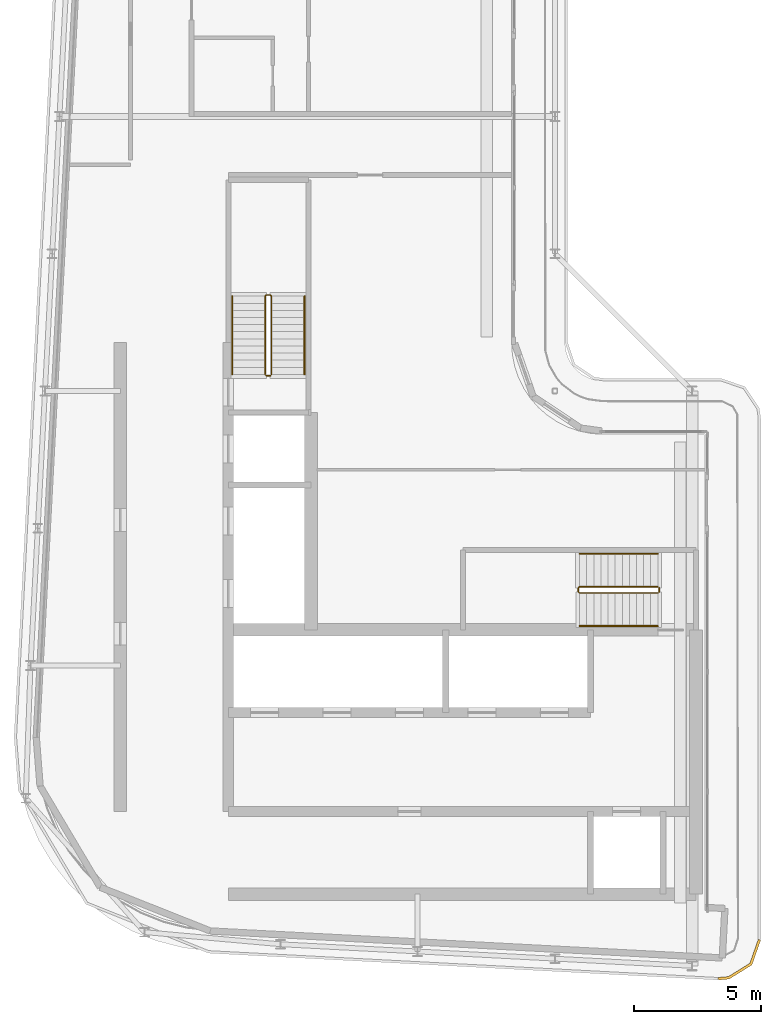
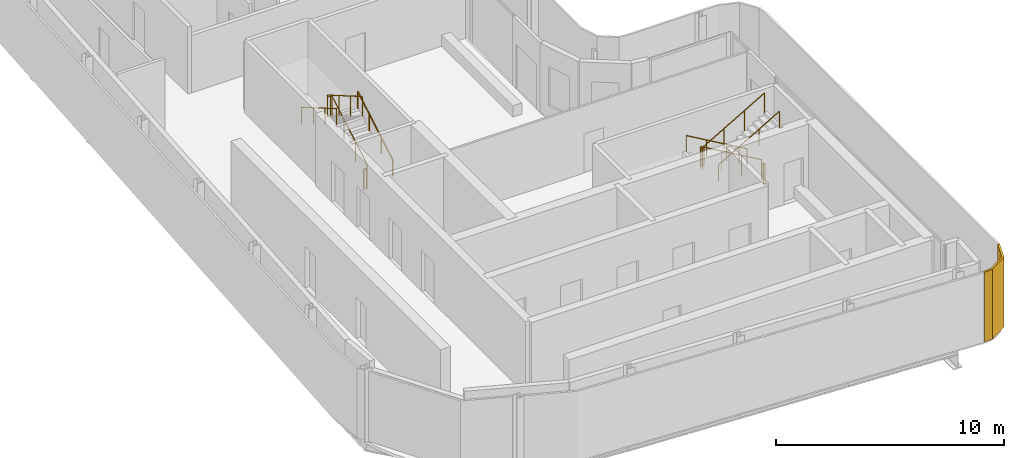
# One storey, part 12 of 15: 8 railings, 1 shading device.
"""IFC4 building model written with IfcOpenShell, lengths in metres."""

from ifc_helpers import new_model, si_unit, direction, frame, origin, origin_2d, place, context, subcontext, project, spatial, polyline, circle, outline, extrude, material, layer, layer_set, type_object, element, save


model = new_model("IFC4")

# Units and contexts
model_context = context("Model", 3, precision=1e-05, world=origin(), true_north=direction((0.0, 1.0)))
body_context = subcontext(model_context, "Body", "Model", "MODEL_VIEW")
ifc_project = project(units=[si_unit("LENGTHUNIT", "METRE"), si_unit("AREAUNIT", "SQUARE_METRE"), si_unit("VOLUMEUNIT", "CUBIC_METRE"), si_unit("PLANEANGLEUNIT", "RADIAN"), si_unit("MASSUNIT", "GRAM", prefix="KILO")], contexts=[model_context])

# Site, building, storey
site_placement = place(None, origin())
site = spatial("IfcSite", under=ifc_project, at=site_placement, CompositionType="ELEMENT")
building_placement = place(site_placement, origin())
building = spatial("IfcBuilding", under=site, at=building_placement, Name="Kheshtan School and Residences Tower", CompositionType="ELEMENT")
storey_placement = place(building_placement, frame((0.0, 0.0, 338.300048828125)))
storey = spatial("IfcBuildingStorey", under=building, at=storey_placement, Name="L79", CompositionType="ELEMENT", Elevation=338.300048828125)

# Shading device
ifc_material_1 = material(Name="Terracotta lattice, extruded ceramic", Category="masonry")
ifc_layer = layer(ifc_material_1, 0.10009765625)
ifc_layer_set = layer_set([ifc_layer], Name="Loggia screen, terracotta lattice")
shading_device_type = type_object("IfcShadingDeviceType", Name="Loggia screen, terracotta lattice", PredefinedType="USERDEFINED", material=ifc_layer_set)
shading_device_placement = place(storey_placement, origin())
element("IfcShadingDevice", 1, at=shading_device_placement, inside=storey, type_object=shading_device_type, Name="Corner screen L79 2", ObjectType="SCREEN", PredefinedType="USERDEFINED", context=body_context, shape_type="SweptSolid", body=[
    extrude(outline(polyline([(55.60009765625, 24.02294921875), (55.27001953125, 23.083984375), (54.424072265625, 22.55908203125), (54.02099609375, 22.52490234375), (54.029052734375, 22.425048828125), (54.4560546875, 22.4609375), (55.35302734375, 23.01806640625), (55.694091796875, 23.989990234375), (55.60009765625, 24.02294921875)])), origin(), (0.0, 0.0, 1.0), 3.75),
])

# Railings
ifc_material_2 = material(Name="Stainless steel balustrade", Category="steel")
railing_type_1 = type_object("IfcRailingType", Name="Stair guard 1100", PredefinedType="GUARDRAIL", material=ifc_material_2)
railing_1_placement = place(storey_placement, frame((51.64990234375, 37.89990234375, 0.162353515625)))
element("IfcRailing", 2, at=railing_1_placement, inside=storey, type_object=railing_type_1, Name="L79 ST1 stair guard 1", PredefinedType="GUARDRAIL", context=body_context, shape_type="SweptSolid", body=[
    extrude(circle(Radius=0.02392578125, at=origin_2d()), frame((0.0, 0.0, 1.076171875), z_axis=(-0.864873446163, 0.0, 0.501989962173), x_axis=(0.0, -1.0, 0.0)), (0.0, 0.0, 1.0), 3.56103515625),
    extrude(circle(Radius=0.02392578125, at=origin_2d()), frame((-3.079833984375, 0.0, 2.86376953125), z_axis=(-0.708833529934, -0.705375805398, 0.0), x_axis=(0.705375805398, -0.708833529934, 0.0)), (0.0, 0.0, 1.0), 0.070556640625),
    extrude(circle(Radius=0.02392578125, at=origin_2d()), frame((-3.1298828125, -0.0498046875, 2.86376953125), z_axis=(0.0, -1.0, 0.0), x_axis=(1.0, 0.0, 0.0)), (0.0, 0.0, 1.0), 0.150146484375),
    extrude(circle(Radius=0.02392578125, at=origin_2d()), frame((-3.1298828125, -0.199951171875, 2.86376953125), z_axis=(0.282227285176, -0.282227285176, 0.916894497205), x_axis=(0.707106781187, 0.707106781187, 0.0)), (0.0, 0.0, 1.0), 0.17724609375),
    extrude(circle(Radius=0.02392578125, at=origin_2d()), frame((-3.079833984375, -0.25, 3.0263671875), z_axis=(0.864903211148, 0.0, 0.501938676878), x_axis=(0.0, 1.0, 0.0)), (0.0, 0.0, 1.0), 3.560791015625),
    extrude(circle(Radius=0.02099609375, at=origin_2d()), origin(), (0.0, 0.0, 1.0), 1.052001953125),
    extrude(circle(Radius=0.02099609375, at=origin_2d()), frame((-1.026611328125, 0.0, 0.595947265625)), (0.0, 0.0, 1.0), 1.052001953125),
    extrude(circle(Radius=0.02099609375, at=origin_2d()), frame((-2.05322265625, 0.0, 1.191650390625)), (0.0, 0.0, 1.0), 1.052001953125),
    extrude(circle(Radius=0.02099609375, at=origin_2d()), frame((-3.079833984375, 0.0, 1.78759765625)), (0.0, 0.0, 1.0), 1.052001953125),
    extrude(circle(Radius=0.02099609375, at=origin_2d()), frame((-3.1298828125, -0.0498046875, 1.78759765625)), (0.0, 0.0, 1.0), 1.052001953125),
    extrude(circle(Radius=0.02099609375, at=origin_2d()), frame((-3.1298828125, -0.199951171875, 1.78759765625)), (0.0, 0.0, 1.0), 1.052001953125),
    extrude(circle(Radius=0.02099609375, at=origin_2d()), frame((-3.079833984375, -0.25, 1.9501953125)), (0.0, 0.0, 1.0), 1.052001953125),
    extrude(circle(Radius=0.02099609375, at=origin_2d()), frame((-2.05322265625, -0.25, 2.5458984375)), (0.0, 0.0, 1.0), 1.052001953125),
    extrude(circle(Radius=0.02099609375, at=origin_2d()), frame((-1.026611328125, -0.25, 3.141845703125)), (0.0, 0.0, 1.0), 1.052001953125),
    extrude(circle(Radius=0.02099609375, at=origin_2d()), frame((0.0, -0.25, 3.737548828125)), (0.0, 0.0, 1.0), 1.052001953125),
])
railing_2_placement = place(storey_placement, frame((51.699951171875, 37.85009765625, 0.0)))
element("IfcRailing", 3, at=railing_2_placement, inside=storey, type_object=railing_type_1, Name="L79 ST1 stair guard 2", PredefinedType="GUARDRAIL", context=body_context, shape_type="SweptSolid", body=[
    extrude(circle(Radius=0.02392578125, at=origin_2d()), frame((0.0, 0.0, 1.076171875), z_axis=(0.0, -1.0, 0.0), x_axis=(1.0, 0.0, 0.0)), (0.0, 0.0, 1.0), 0.150146484375),
    extrude(circle(Radius=0.02099609375, at=origin_2d()), origin(), (0.0, 0.0, 1.0), 1.052001953125),
    extrude(circle(Radius=0.02099609375, at=origin_2d()), frame((0.0, -0.150146484375, 0.0)), (0.0, 0.0, 1.0), 1.052001953125),
])
railing_3_placement = place(storey_placement, frame((36.449951171875, 46.25, 0.162353515625)))
element("IfcRailing", 4, at=railing_3_placement, inside=storey, type_object=railing_type_1, Name="L79 ST2 stair guard 1", PredefinedType="GUARDRAIL", context=body_context, shape_type="SweptSolid", body=[
    extrude(circle(Radius=0.02392578125, at=origin_2d()), frame((0.0, 0.0, 1.076171875), z_axis=(0.0, 0.864890721111, 0.501960198159), x_axis=(-1.0, 0.0, 0.0)), (0.0, 0.0, 1.0), 3.561279296875),
    extrude(circle(Radius=0.02392578125, at=origin_2d()), frame((0.0, 3.080078125, 2.86376953125), z_axis=(-0.708833529934, 0.705375805398, 0.0), x_axis=(-0.705375805398, -0.708833529934, 0.0)), (0.0, 0.0, 1.0), 0.070556640625),
    extrude(circle(Radius=0.02392578125, at=origin_2d()), frame((-0.050048828125, 3.1298828125, 2.86376953125), z_axis=(-1.0, 0.0, 0.0), x_axis=(0.0, -1.0, 0.0)), (0.0, 0.0, 1.0), 0.14990234375),
    extrude(circle(Radius=0.02392578125, at=origin_2d()), frame((-0.199951171875, 3.1298828125, 2.86376953125), z_axis=(-0.282336740067, -0.280959487676, 0.917250092119), x_axis=(0.705375805398, -0.708833529934, 0.0)), (0.0, 0.0, 1.0), 0.17724609375),
    extrude(circle(Radius=0.02392578125, at=origin_2d()), frame((-0.25, 3.080078125, 3.0263671875), z_axis=(0.0, -0.864920483161, 0.501908913857), x_axis=(1.0, 0.0, 0.0)), (0.0, 0.0, 1.0), 3.56103515625),
    extrude(circle(Radius=0.02099609375, at=origin_2d()), origin(), (0.0, 0.0, 1.0), 1.052001953125),
    extrude(circle(Radius=0.02099609375, at=origin_2d()), frame((0.0, 1.026611328125, 0.595947265625)), (0.0, 0.0, 1.0), 1.052001953125),
    extrude(circle(Radius=0.02099609375, at=origin_2d()), frame((0.0, 2.053466796875, 1.191650390625)), (0.0, 0.0, 1.0), 1.052001953125),
    extrude(circle(Radius=0.02099609375, at=origin_2d()), frame((0.0, 3.080078125, 1.78759765625)), (0.0, 0.0, 1.0), 1.052001953125),
    extrude(circle(Radius=0.02099609375, at=origin_2d()), frame((-0.050048828125, 3.1298828125, 1.78759765625)), (0.0, 0.0, 1.0), 1.052001953125),
    extrude(circle(Radius=0.02099609375, at=origin_2d()), frame((-0.199951171875, 3.1298828125, 1.78759765625)), (0.0, 0.0, 1.0), 1.052001953125),
    extrude(circle(Radius=0.02099609375, at=origin_2d()), frame((-0.25, 3.080078125, 1.9501953125)), (0.0, 0.0, 1.0), 1.052001953125),
    extrude(circle(Radius=0.02099609375, at=origin_2d()), frame((-0.25, 2.053466796875, 2.5458984375)), (0.0, 0.0, 1.0), 1.052001953125),
    extrude(circle(Radius=0.02099609375, at=origin_2d()), frame((-0.25, 1.026611328125, 3.141845703125)), (0.0, 0.0, 1.0), 1.052001953125),
    extrude(circle(Radius=0.02099609375, at=origin_2d()), frame((-0.25, 0.0, 3.737548828125)), (0.0, 0.0, 1.0), 1.052001953125),
])
railing_4_placement = place(storey_placement, frame((36.39990234375, 46.199951171875, 0.0)))
element("IfcRailing", 5, at=railing_4_placement, inside=storey, type_object=railing_type_1, Name="L79 ST2 stair guard 2", PredefinedType="GUARDRAIL", context=body_context, shape_type="SweptSolid", body=[
    extrude(circle(Radius=0.02392578125, at=origin_2d()), frame((0.0, 0.0, 1.076171875), z_axis=(-1.0, 0.0, 0.0), x_axis=(0.0, -1.0, 0.0)), (0.0, 0.0, 1.0), 0.14990234375),
    extrude(circle(Radius=0.02099609375, at=origin_2d()), origin(), (0.0, 0.0, 1.0), 1.052001953125),
    extrude(circle(Radius=0.02099609375, at=origin_2d()), frame((-0.14990234375, 0.0, 0.0)), (0.0, 0.0, 1.0), 1.052001953125),
])
ifc_material_3 = material(Name="Stainless steel handrail", Category="steel")
railing_type_2 = type_object("IfcRailingType", Name="Stair handrail 900", PredefinedType="HANDRAIL", material=ifc_material_3)
railing_5_placement = place(storey_placement, frame((51.64990234375, 39.199951171875, 0.162353515625)))
element("IfcRailing", 6, at=railing_5_placement, inside=storey, type_object=railing_type_2, Name="L79 ST1 stair handrail 1", PredefinedType="HANDRAIL", context=body_context, shape_type="SweptSolid", body=[
    extrude(circle(Radius=0.02392578125, at=origin_2d()), frame((0.0, 0.0, 0.8759765625), z_axis=(-0.864873446163, 0.0, 0.501989962173), x_axis=(0.0, -1.0, 0.0)), (0.0, 0.0, 1.0), 3.56103515625),
    extrude(circle(Radius=0.02099609375, at=origin_2d()), origin(), (0.0, 0.0, 1.0), 0.851806640625),
    extrude(circle(Radius=0.02099609375, at=origin_2d()), frame((-1.026611328125, 0.0, 0.595947265625)), (0.0, 0.0, 1.0), 0.851806640625),
    extrude(circle(Radius=0.02099609375, at=origin_2d()), frame((-2.05322265625, 0.0, 1.191650390625)), (0.0, 0.0, 1.0), 0.851806640625),
    extrude(circle(Radius=0.02099609375, at=origin_2d()), frame((-3.079833984375, 0.0, 1.78759765625)), (0.0, 0.0, 1.0), 0.851806640625),
])
railing_6_placement = place(storey_placement, frame((48.570068359375, 36.35009765625, 2.112548828125)))
element("IfcRailing", 7, at=railing_6_placement, inside=storey, type_object=railing_type_2, Name="L79 ST1 stair handrail 2", PredefinedType="HANDRAIL", context=body_context, shape_type="SweptSolid", body=[
    extrude(circle(Radius=0.02392578125, at=origin_2d()), frame((0.0, 0.0, 0.8759765625), z_axis=(0.864903211148, 0.0, 0.501938676878), x_axis=(0.0, 1.0, 0.0)), (0.0, 0.0, 1.0), 3.560791015625),
    extrude(circle(Radius=0.02099609375, at=origin_2d()), origin(), (0.0, 0.0, 1.0), 0.851806640625),
    extrude(circle(Radius=0.02099609375, at=origin_2d()), frame((1.026611328125, 0.0, 0.595703125)), (0.0, 0.0, 1.0), 0.851806640625),
    extrude(circle(Radius=0.02099609375, at=origin_2d()), frame((2.05322265625, 0.0, 1.191650390625)), (0.0, 0.0, 1.0), 0.851806640625),
    extrude(circle(Radius=0.02099609375, at=origin_2d()), frame((3.079833984375, 0.0, 1.787353515625)), (0.0, 0.0, 1.0), 0.851806640625),
])
railing_7_placement = place(storey_placement, frame((37.75, 46.25, 0.162353515625)))
element("IfcRailing", 8, at=railing_7_placement, inside=storey, type_object=railing_type_2, Name="L79 ST2 stair handrail 1", PredefinedType="HANDRAIL", context=body_context, shape_type="SweptSolid", body=[
    extrude(circle(Radius=0.02392578125, at=origin_2d()), frame((0.0, 0.0, 0.8759765625), z_axis=(0.0, 0.864890721111, 0.501960198159), x_axis=(-1.0, 0.0, 0.0)), (0.0, 0.0, 1.0), 3.561279296875),
    extrude(circle(Radius=0.02099609375, at=origin_2d()), origin(), (0.0, 0.0, 1.0), 0.851806640625),
    extrude(circle(Radius=0.02099609375, at=origin_2d()), frame((0.0, 1.026611328125, 0.595947265625)), (0.0, 0.0, 1.0), 0.851806640625),
    extrude(circle(Radius=0.02099609375, at=origin_2d()), frame((0.0, 2.053466796875, 1.191650390625)), (0.0, 0.0, 1.0), 0.851806640625),
    extrude(circle(Radius=0.02099609375, at=origin_2d()), frame((0.0, 3.080078125, 1.78759765625)), (0.0, 0.0, 1.0), 0.851806640625),
])
railing_8_placement = place(storey_placement, frame((34.89990234375, 49.330078125, 2.112548828125)))
element("IfcRailing", 9, at=railing_8_placement, inside=storey, type_object=railing_type_2, Name="L79 ST2 stair handrail 2", PredefinedType="HANDRAIL", context=body_context, shape_type="SweptSolid", body=[
    extrude(circle(Radius=0.02392578125, at=origin_2d()), frame((0.0, 0.0, 0.8759765625), z_axis=(0.0, -0.864920483161, 0.501908913857), x_axis=(1.0, 0.0, 0.0)), (0.0, 0.0, 1.0), 3.56103515625),
    extrude(circle(Radius=0.02099609375, at=origin_2d()), origin(), (0.0, 0.0, 1.0), 0.851806640625),
    extrude(circle(Radius=0.02099609375, at=origin_2d()), frame((0.0, -1.026611328125, 0.595703125)), (0.0, 0.0, 1.0), 0.851806640625),
    extrude(circle(Radius=0.02099609375, at=origin_2d()), frame((0.0, -2.053466796875, 1.191650390625)), (0.0, 0.0, 1.0), 0.851806640625),
    extrude(circle(Radius=0.02099609375, at=origin_2d()), frame((0.0, -3.080078125, 1.787353515625)), (0.0, 0.0, 1.0), 0.851806640625),
])

save(model, "model.ifc")
